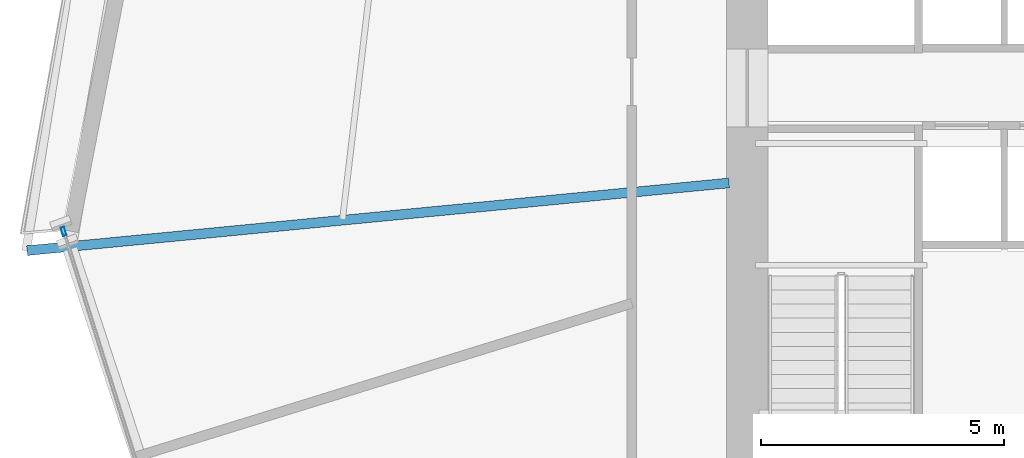
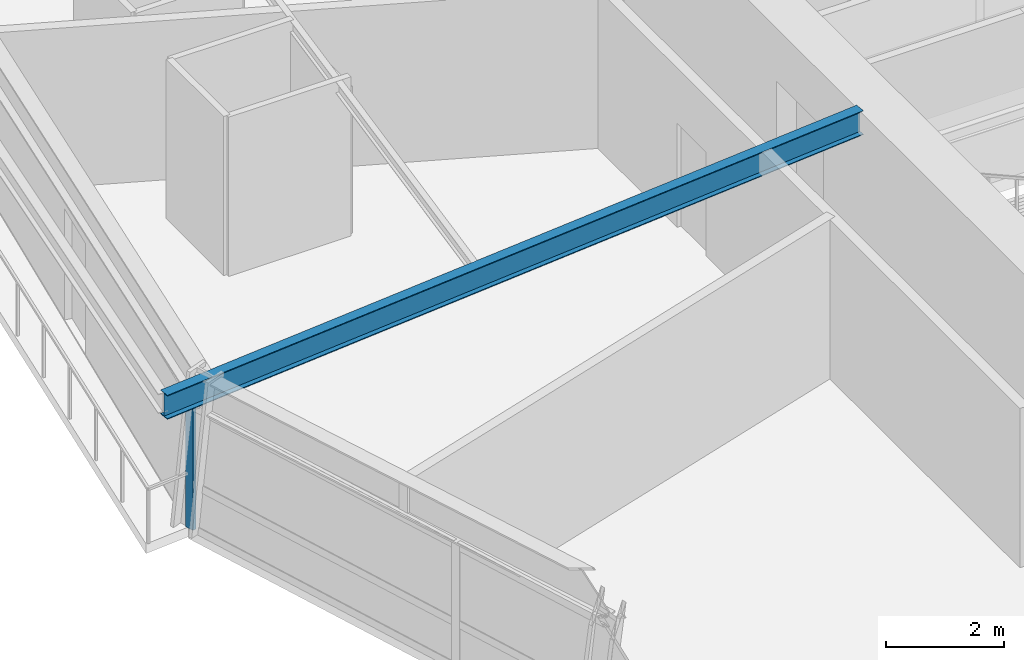
# One storey, part 6 of 21: 1 beam, 1 member, 1 element without a shape of its own.
"""IFC4 building model written with IfcOpenShell, lengths in metres."""

from ifc_helpers import new_model, si_unit, direction, frame, origin, origin_2d, place, context, subcontext, project, spatial, hollow_rectangle, i_section, extrude, source, transform, mapped, material, material_profile, profile_set, type_object, element, aggregate, save


model = new_model("IFC4")

# Units and contexts
model_context = context("Model", 3, precision=1e-05, world=origin(), true_north=direction((0.0, 1.0)))
body_context = subcontext(model_context, "Body", "Model", "MODEL_VIEW")
ifc_project = project(units=[si_unit("LENGTHUNIT", "METRE"), si_unit("AREAUNIT", "SQUARE_METRE"), si_unit("VOLUMEUNIT", "CUBIC_METRE"), si_unit("PLANEANGLEUNIT", "RADIAN"), si_unit("MASSUNIT", "GRAM", prefix="KILO")], contexts=[model_context])

# Site, building, storey
site_placement = place(None, origin())
site = spatial("IfcSite", under=ifc_project, at=site_placement, CompositionType="ELEMENT")
building_placement = place(site_placement, origin())
building = spatial("IfcBuilding", under=site, at=building_placement, Name="Olszyna Solenne Hotel", CompositionType="ELEMENT")
storey_placement = place(building_placement, frame((0.0, 0.0, 54.14990234375)))
storey = spatial("IfcBuildingStorey", under=building, at=storey_placement, Name="L13", CompositionType="ELEMENT", Elevation=54.14990234375)

# Beam
ifc_material_1 = material(Name="Steel S355J2", Category="steel")
ifc_material_profile_1 = material_profile(ifc_material_1, i_section(OverallWidth=0.199951171875, OverallDepth=0.5, WebThickness=0.01025390625, FlangeThickness=0.01611328125, at=origin_2d()), Name="IPE 500", Category="load-bearing")
ifc_profile_set_1 = profile_set([ifc_material_profile_1], Name="Steel S355J2")
beam_type = type_object("IfcBeamType", Name="BM-F3", PredefinedType="BEAM", material=ifc_profile_set_1)
shared_shape_1 = source(origin(), body_context, "Body", "SweptSolid", [
    extrude(i_section(OverallWidth=0.199951171875, OverallDepth=0.5, WebThickness=0.01025390625, FlangeThickness=0.01611328125, at=origin_2d()), origin(), (0.0, 0.0, 1.0), 14.515380859375),
])
beam_placement = place(storey_placement, frame((14.851318359375, 24.37158203125, 3.050048828125), z_axis=(0.995385733648, 0.095954370667, 0.0), x_axis=(-0.095954370667, 0.995385733648, 0.0)))
element("IfcBeam", 1, at=beam_placement, inside=storey, type_object=beam_type, Name="Radial floor girder BM-F3 B-L13-0423", PredefinedType="BEAM", context=body_context, shape_type="MappedRepresentation", body=[
    mapped(shared_shape_1, transform((0.0, 0.0, 0.0), x_axis=(1.0, 0.0, 0.0), y_axis=(0.0, 1.0, 0.0), z_axis=(0.0, 0.0, 1.0), scale=1.0)),
])

# Curtain wall, member
ifc_material_2 = material(Name="Anodised bronze aluminium", Category="aluminium")
curtain_wall_type = type_object("IfcCurtainWallType", Name="CW-SYS-2", PredefinedType="NOTDEFINED", material=ifc_material_2)
curtain_wall_placement = place(storey_placement, origin())
curtain_wall = element("IfcCurtainWall", 2, at=curtain_wall_placement, inside=storey, type_object=curtain_wall_type, Name="Unitised curtain wall CW-SYS-2 CW-L13-01", PredefinedType="NOTDEFINED")
ifc_material_profile_2 = material_profile(ifc_material_2, hollow_rectangle(XDim=0.074951171875, YDim=0.179931640625, WallThickness=0.00439453125, at=origin_2d()), Name="MULL 180x75x4.5", Category="load-bearing")
ifc_profile_set_2 = profile_set([ifc_material_profile_2], Name="Anodised bronze aluminium")
member_type = type_object("IfcMemberType", Name="CW-M2", PredefinedType="MULLION", material=ifc_profile_set_2)
shared_shape_2 = source(origin(), body_context, "Body", "SweptSolid", [
    extrude(hollow_rectangle(XDim=0.074951171875, YDim=0.179931640625, WallThickness=0.00439453125, at=origin_2d()), origin(), (0.0, 0.0, 1.0), 2.592041015625),
])
member_placement = place(storey_placement, frame((15.603515625, 24.767822265625, 0.0), z_axis=(0.0, 0.0, 1.0), x_axis=(0.95391417649, 0.300079562602, 0.0)))
member = element("IfcMember", 3, at=member_placement, type_object=member_type, Name="Curtain-wall mullion CW-M2 CM-L13-01-01", PredefinedType="MULLION", context=body_context, shape_type="MappedRepresentation", body=[
    mapped(shared_shape_2, transform((0.0, 0.0, 0.0), x_axis=(1.0, 0.0, 0.0), y_axis=(0.0, 1.0, 0.0), z_axis=(0.0, 0.0, 1.0), scale=1.0)),
])
aggregate(curtain_wall, [member])

save(model, "model.ifc")
